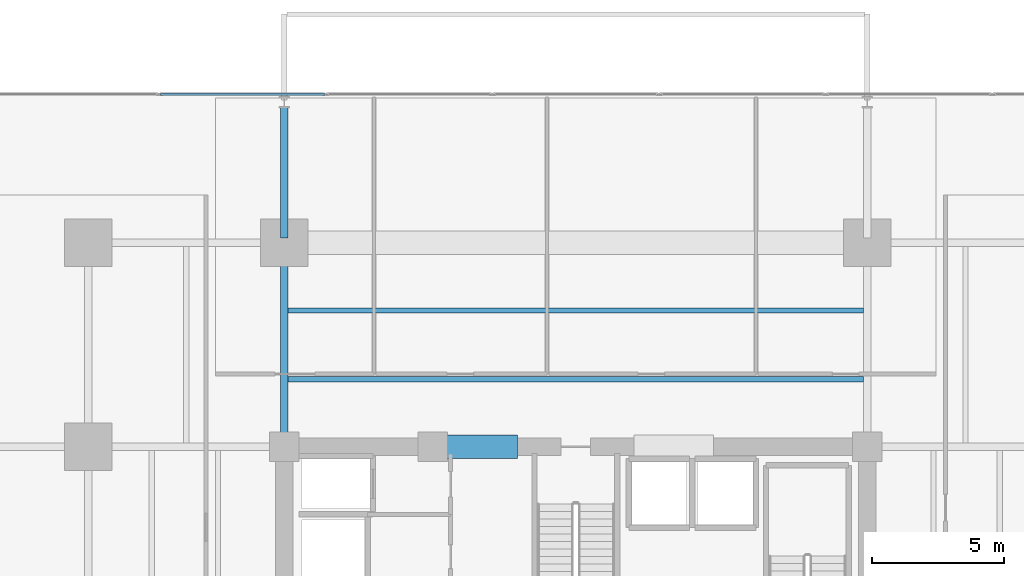
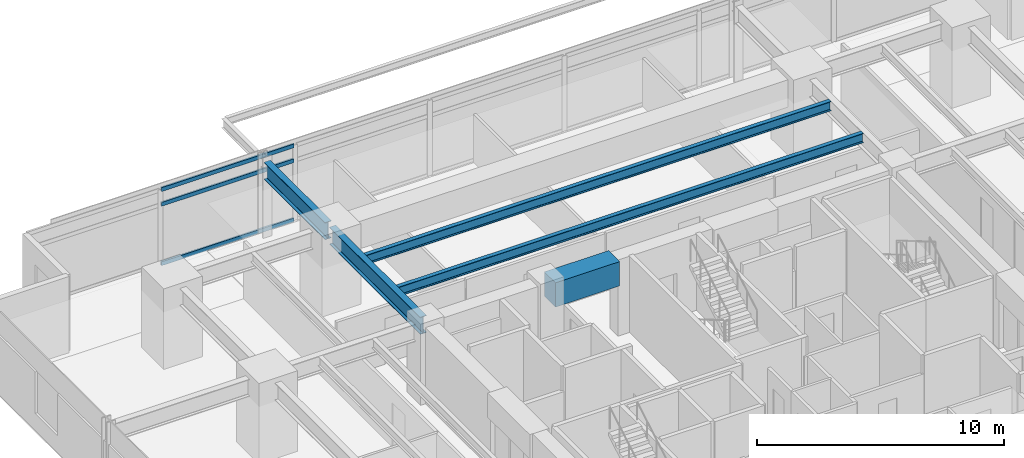
# One storey, part 6 of 22: 5 beams, 3 members, 1 element without a shape of its own.
"""IFC4 building model written with IfcOpenShell, lengths in metres."""

from ifc_helpers import new_model, si_unit, direction, frame, origin, origin_2d, place, context, subcontext, project, spatial, rectangle, hollow_rectangle, i_section, extrude, material, material_profile, profile_set, type_object, element, aggregate, save


model = new_model("IFC4")

# Units and contexts
model_context = context("Model", 3, precision=1e-05, world=origin(), true_north=direction((0.0, 1.0)))
body_context = subcontext(model_context, "Body", "Model", "MODEL_VIEW")
ifc_project = project(units=[si_unit("LENGTHUNIT", "METRE"), si_unit("AREAUNIT", "SQUARE_METRE"), si_unit("VOLUMEUNIT", "CUBIC_METRE"), si_unit("PLANEANGLEUNIT", "RADIAN"), si_unit("MASSUNIT", "GRAM", prefix="KILO")], contexts=[model_context])

# Site, building, storey
site_placement = place(None, origin())
site = spatial("IfcSite", under=ifc_project, at=site_placement, CompositionType="ELEMENT")
building_placement = place(site_placement, origin())
building = spatial("IfcBuilding", under=site, at=building_placement, Name="Kovane Verandah Tower", CompositionType="ELEMENT")
storey_placement = place(building_placement, frame((0.0, 0.0, 59.60009765625)))
storey = spatial("IfcBuildingStorey", under=building, at=storey_placement, Name="L13", CompositionType="ELEMENT", Elevation=59.60009765625)

# Beams
ifc_material_1 = material(Name="Concrete C80/95", Category="concrete")
ifc_material_profile_1 = material_profile(ifc_material_1, rectangle(XDim=0.89990234375, YDim=1.199951171875, at=origin_2d()), Name="RCB900x1200")
ifc_profile_set_1 = profile_set([ifc_material_profile_1], Name="Concrete C80/95")
beam_type_1 = type_object("IfcBeamType", Name="BM-LINTEL-900x1200", PredefinedType="LINTEL", material=ifc_profile_set_1)
beam_1_placement = place(storey_placement, frame((34.800048828125, 36.5, 3.159912109375), z_axis=(1.0, 0.0, 0.0), x_axis=(0.0, 1.0, 0.0)))
element("IfcBeam", 1, at=beam_1_placement, inside=storey, type_object=beam_type_1, Name="L13 Core Coupling Lintel CL-N1", PredefinedType="LINTEL", context=body_context, shape_type="SweptSolid", body=[
    extrude(rectangle(XDim=0.89990234375, YDim=1.199951171875, at=origin_2d()), origin(), (0.0, 0.0, 1.0), 3.0),
])
ifc_material_2 = material(Name="Steel S355", Category="steel")
ifc_material_profile_2 = material_profile(ifc_material_2, i_section(OverallWidth=0.293701171875, OverallDepth=0.850830078125, WebThickness=0.01611328125, FlangeThickness=0.02685546875, FilletRadius=0.017822265625, at=origin_2d()), Name="UB838x292x226")
ifc_profile_set_2 = profile_set([ifc_material_profile_2], Name="Steel S355")
beam_type_2 = type_object("IfcBeamType", Name="BM-UB838x226", PredefinedType="BEAM", material=ifc_profile_set_2)
beam_2_placement = place(storey_placement, frame((29.0, 36.679931640625, 3.33447265625), z_axis=(0.0, 1.0, 0.0), x_axis=(-1.0, 0.0, 0.0)))
element("IfcBeam", 2, at=beam_2_placement, inside=storey, type_object=beam_type_2, Name="L13 Primary Tower Girder G-N1", PredefinedType="BEAM", context=body_context, shape_type="SweptSolid", body=[
    extrude(i_section(OverallWidth=0.293701171875, OverallDepth=0.850830078125, WebThickness=0.01611328125, FlangeThickness=0.02685546875, FilletRadius=0.017822265625, at=origin_2d()), origin(), (0.0, 0.0, 1.0), 7.340087890625),
])
beam_3_placement = place(storey_placement, frame((29.0, 44.3798828125, 3.33447265625), z_axis=(0.0, 1.0, 0.0), x_axis=(-1.0, 0.0, 0.0)))
element("IfcBeam", 3, at=beam_3_placement, inside=storey, type_object=beam_type_2, Name="L13 Primary Tower Girder G-VN1", PredefinedType="BEAM", context=body_context, shape_type="SweptSolid", body=[
    extrude(i_section(OverallWidth=0.293701171875, OverallDepth=0.850830078125, WebThickness=0.01611328125, FlangeThickness=0.02685546875, FilletRadius=0.017822265625, at=origin_2d()), origin(), (0.0, 0.0, 1.0), 4.940185546875),
])

# Curtain wall, members
ifc_material_3 = material(Name="Champagne Anodised Aluminium Frame with Low-E Clear Laminated Glass", Category="aluminium")
curtain_wall_type = type_object("IfcCurtainWallType", Name="CW-SYS-02-LOW", PredefinedType="NOTDEFINED", material=ifc_material_3)
curtain_wall_placement = place(storey_placement, origin())
curtain_wall = element("IfcCurtainWall", 4, at=curtain_wall_placement, inside=storey, type_object=curtain_wall_type, Name="L13 N Unitised Curtain Wall", PredefinedType="NOTDEFINED")
ifc_material_4 = material(Name="Champagne Anodised Aluminium 6063-T6", Category="aluminium")
ifc_material_profile_3 = material_profile(ifc_material_4, hollow_rectangle(XDim=0.0849609375, YDim=0.18994140625, WallThickness=0.00390625, at=origin_2d()), Name="AL85x190x4")
ifc_profile_set_3 = profile_set([ifc_material_profile_3], Name="Champagne Anodised Aluminium 6063-T6")
member_type = type_object("IfcMemberType", Name="CW-TRN-85x190", PredefinedType="USERDEFINED", material=ifc_profile_set_3)
member_1_placement = place(storey_placement, frame((30.519287109375, 49.8037109375, 0.0498046875), z_axis=(-1.0, 0.0, 0.0), x_axis=(0.0, -1.0, 0.0)))
member_1 = element("IfcMember", 5, at=member_1_placement, type_object=member_type, Name="L13 N Unitised Curtain Wall Transom TB Bay 6", ObjectType="TRANSOM", PredefinedType="USERDEFINED", context=body_context, shape_type="SweptSolid", body=[
    extrude(hollow_rectangle(XDim=0.0849609375, YDim=0.18994140625, WallThickness=0.00390625, at=origin_2d()), origin(), (0.0, 0.0, 1.0), 6.187255859375),
])
member_2_placement = place(storey_placement, frame((30.519287109375, 49.8037109375, 2.97998046875), z_axis=(-1.0, 0.0, 0.0), x_axis=(0.0, -1.0, 0.0)))
member_2 = element("IfcMember", 6, at=member_2_placement, type_object=member_type, Name="L13 N Unitised Curtain Wall Transom TM Bay 6", ObjectType="TRANSOM", PredefinedType="USERDEFINED", context=body_context, shape_type="SweptSolid", body=[
    extrude(hollow_rectangle(XDim=0.0849609375, YDim=0.18994140625, WallThickness=0.00390625, at=origin_2d()), origin(), (0.0, 0.0, 1.0), 6.187255859375),
])
member_3_placement = place(storey_placement, frame((30.519287109375, 49.8037109375, 3.7099609375), z_axis=(-1.0, 0.0, 0.0), x_axis=(0.0, -1.0, 0.0)))
member_3 = element("IfcMember", 7, at=member_3_placement, type_object=member_type, Name="L13 N Unitised Curtain Wall Transom TT Bay 6", ObjectType="TRANSOM", PredefinedType="USERDEFINED", context=body_context, shape_type="SweptSolid", body=[
    extrude(hollow_rectangle(XDim=0.0849609375, YDim=0.18994140625, WallThickness=0.00390625, at=origin_2d()), origin(), (0.0, 0.0, 1.0), 6.187255859375),
])
aggregate(curtain_wall, [member_1, member_2, member_3])

# Beams
ifc_material_profile_4 = material_profile(ifc_material_2, i_section(OverallWidth=0.19287109375, OverallDepth=0.46728515625, WebThickness=0.011474609375, FlangeThickness=0.01953125, FilletRadius=0.01025390625, at=origin_2d()), Name="UB457x191x98")
ifc_profile_set_4 = profile_set([ifc_material_profile_4], Name="Steel S355")
beam_type_3 = type_object("IfcBeamType", Name="JST-UB457x98", PredefinedType="JOIST", material=ifc_profile_set_4)
for number, where, z_axis, x_axis, name in (
    (8, (29.14501953125, 39.050048828125, 3.5263671875), (1.0, 0.0, 0.0), (0.0, 1.0, 0.0), "L13 Secondary Composite Joist J-N1"),
    (9, (29.14501953125, 41.64990234375, 3.5263671875), (1.0, 0.0, 0.0), (0.0, 1.0, 0.0), "L13 Secondary Composite Joist J-N2"),
):
    element("IfcBeam", number, at=place(storey_placement, frame(where, z_axis=z_axis, x_axis=x_axis)), inside=storey, type_object=beam_type_3, Name=name, PredefinedType="JOIST", context=body_context, shape_type="SweptSolid", body=[
        extrude(i_section(OverallWidth=0.19287109375, OverallDepth=0.46728515625, WebThickness=0.011474609375, FlangeThickness=0.01953125, FilletRadius=0.01025390625, at=origin_2d()), origin(), (0.0, 0.0, 1.0), 21.7099609375),
    ])

save(model, "model.ifc")
